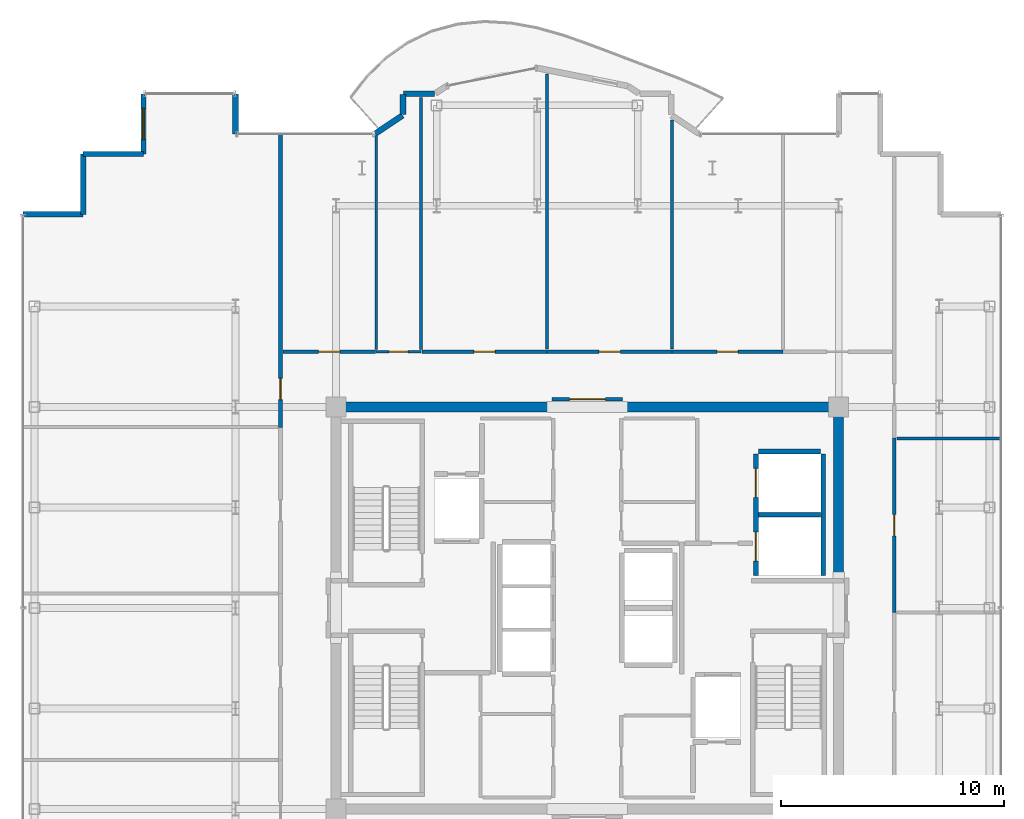
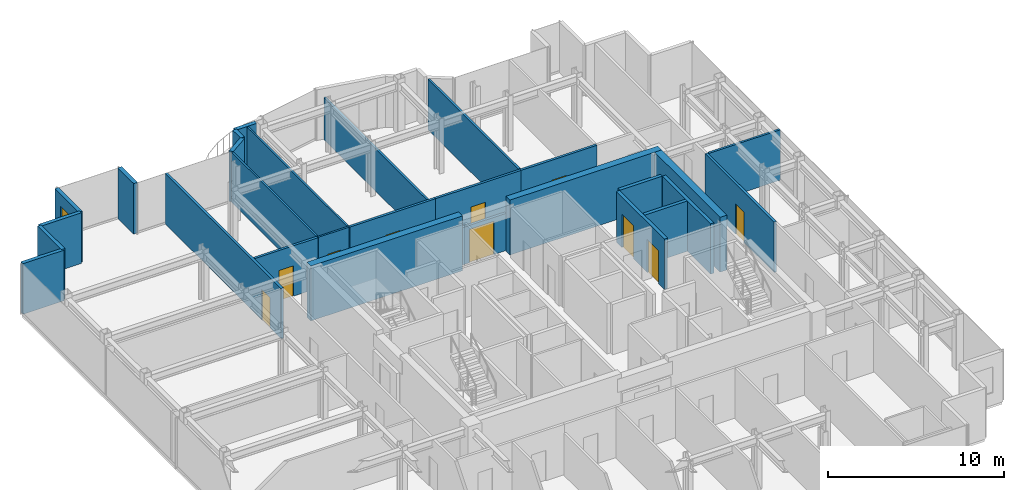
# One storey, part 16 of 18: 28 walls, 10 doors, 1 window, 11 openings.
"""IFC4 building model written with IfcOpenShell, lengths in metres."""

from ifc_helpers import new_model, si_unit, direction, frame, frame_2d, origin, place, context, subcontext, project, spatial, rectangle, extrude, source, transform, mapped, material, layer, layer_set, type_object, element, fill, save


model = new_model("IFC4")

# Units and contexts
model_context = context("Model", 3, precision=1e-05, world=origin(), true_north=direction((0.0, 1.0)))
body_context = subcontext(model_context, "Body", "Model", "MODEL_VIEW")
ifc_project = project(units=[si_unit("LENGTHUNIT", "METRE"), si_unit("AREAUNIT", "SQUARE_METRE"), si_unit("VOLUMEUNIT", "CUBIC_METRE"), si_unit("PLANEANGLEUNIT", "RADIAN"), si_unit("MASSUNIT", "GRAM", prefix="KILO")], contexts=[model_context])

# Site, building, storey
site_placement = place(None, origin())
site = spatial("IfcSite", under=ifc_project, at=site_placement, CompositionType="ELEMENT")
building_placement = place(site_placement, origin())
building = spatial("IfcBuilding", under=site, at=building_placement, Name="Nefas-Gora Pilgrimage Tower", CompositionType="ELEMENT")
storey_placement = place(building_placement, frame((0.0, 0.0, 314.0)))
storey = spatial("IfcBuildingStorey", under=building, at=storey_placement, Name="L79", CompositionType="ELEMENT", Elevation=314.0)

# Walls
ifc_material_1 = material(Name="Concrete C50/60", Category="concrete")
ifc_layer_1 = layer(ifc_material_1, 0.449951171875)
ifc_layer_set_1 = layer_set([ifc_layer_1], Name="Concrete C50/60")
wall_type_1 = type_object("IfcWallType", Name="SW-CORE-450", PredefinedType="SHEAR", material=ifc_layer_set_1)
shared_shape_1 = source(origin(), body_context, "Body", "SweptSolid", [
    extrude(rectangle(XDim=9.925048828125, YDim=0.449951171875, at=frame_2d((4.96240234375, 0.0))), origin(), (0.0, 0.0, 1.0), 3.800048828125),
])
for number, where, z_axis, x_axis, name in (
    (1, (-11.47509765625, 9.0, 0.0), (0.0, 0.0, 1.0), (1.0, 0.0, 0.0), "L79 Core Shear Wall N-West"),
    (2, (1.550048828125, 9.0, 0.0), (0.0, 0.0, 1.0), (1.0, 0.0, 0.0), "L79 Core Shear Wall N-East"),
):
    element("IfcWall", number, at=place(storey_placement, frame(where, z_axis=z_axis, x_axis=x_axis)), inside=storey, type_object=wall_type_1, Name=name, PredefinedType="SHEAR", context=body_context, shape_type="MappedRepresentation", body=[
        mapped(shared_shape_1, transform((0.0, 0.0, 0.0), x_axis=(1.0, 0.0, 0.0), y_axis=(0.0, 1.0, 0.0), z_axis=(0.0, 0.0, 1.0), scale=1.0)),
    ])
shared_shape_2 = source(origin(), body_context, "Body", "SweptSolid", [
    extrude(rectangle(XDim=7.4248046875, YDim=0.449951171875, at=frame_2d((3.71240234375, 0.0))), origin(), (0.0, 0.0, 1.0), 3.800048828125),
])
wall_1_placement = place(storey_placement, frame((11.25, 1.35009765625, 0.0), z_axis=(0.0, 0.0, 1.0), x_axis=(0.0, 1.0, 0.0)))
element("IfcWall", 3, at=wall_1_placement, inside=storey, type_object=wall_type_1, Name="L79 Core Shear Wall E-North", PredefinedType="SHEAR", context=body_context, shape_type="MappedRepresentation", body=[
    mapped(shared_shape_2, transform((0.0, 0.0, 0.0), x_axis=(1.0, 0.0, 0.0), y_axis=(0.0, 1.0, 0.0), z_axis=(0.0, 0.0, 1.0), scale=1.0)),
])
ifc_material_2 = material(Name="Precast concrete C40/50", Category="concrete")
ifc_layer_2 = layer(ifc_material_2, 0.260009765625)
ifc_layer_set_2 = layer_set([ifc_layer_2], Name="Precast concrete C40/50")
wall_type_2 = type_object("IfcWallType", Name="EW-PORTAL-260", PredefinedType="SOLIDWALL", material=ifc_layer_set_2)
shared_shape_3 = source(origin(), body_context, "Body", "SweptSolid", [
    extrude(rectangle(XDim=1.800048828125, YDim=0.260009765625, at=frame_2d((0.89990234375, 0.0))), origin(), (0.0, 0.0, 1.0), 3.5),
])
wall_2_placement = place(storey_placement, frame((-15.75, 21.219970703125, 0.0), z_axis=(0.0, 0.0, 1.0), x_axis=(0.0, 1.0, 0.0)))
element("IfcWall", 4, at=wall_2_placement, inside=storey, type_object=wall_type_2, Name="L79 Lobe Shoulder Precast Spandrel Pier 16", PredefinedType="SOLIDWALL", context=body_context, shape_type="MappedRepresentation", body=[
    mapped(shared_shape_3, transform((0.0, 0.0, 0.0), x_axis=(1.0, 0.0, 0.0), y_axis=(0.0, 1.0, 0.0), z_axis=(0.0, 0.0, 1.0), scale=1.0)),
])

# Wall, opening, window
ifc_material_3 = material(Name="Precast concrete C45/55", Category="concrete")
ifc_layer_3 = layer(ifc_material_3, 0.239990234375)
ifc_layer_set_3 = layer_set([ifc_layer_3], Name="Precast concrete C45/55")
wall_type_3 = type_object("IfcWallType", Name="EW-SERR-240", PredefinedType="SHEAR", material=ifc_layer_set_3)
shared_shape_4 = source(origin(), body_context, "Body", "SweptSolid", [
    extrude(rectangle(XDim=2.699951171875, YDim=0.239990234375, at=frame_2d((1.35009765625, 0.0))), origin(), (0.0, 0.0, 1.0), 3.5),
])
wall_3_placement = place(storey_placement, frame((-19.8701171875, 23.02001953125, 0.0), z_axis=(0.0, 0.0, 1.0), x_axis=(0.0, -1.0, 0.0)))
wall_3 = element("IfcWall", 5, at=wall_3_placement, inside=storey, type_object=wall_type_3, Name="L79 Serrated Corner Shear Pier Wall 17", PredefinedType="SHEAR", context=body_context, shape_type="MappedRepresentation", body=[
    mapped(shared_shape_4, transform((0.0, 0.0, 0.0), x_axis=(1.0, 0.0, 0.0), y_axis=(0.0, 1.0, 0.0), z_axis=(0.0, 0.0, 1.0), scale=1.0)),
])
opening_1_placement = place(wall_3_placement, frame((0.64990234375, 0.0, 0.85009765625)))
opening_1 = element("IfcOpeningElement", 6, at=opening_1_placement, cuts=wall_3, Name="Opening W-V2", PredefinedType="OPENING", context=body_context, shape_type="SweptSolid", body=[
    extrude(rectangle(XDim=1.39990234375, YDim=1.800048828125, at=frame_2d((0.699951171875, 0.89990234375))), frame((0.0, 0.1298828125, 0.0), z_axis=(0.0, -1.0, 0.0), x_axis=(1.0, 0.0, 0.0)), (0.0, 0.0, 1.0), 0.260009765625),
])
ifc_material_4 = material(Name="Dark ceramic-fritted operable aluminium-glass window", Category="aluminium")
window_type = type_object("IfcWindowType", Name="WIN-VENT-1400x1800", PartitioningType="SINGLE_PANEL", PredefinedType="WINDOW", material=ifc_material_4)
shared_shape_5 = source(origin(), body_context, "Body", "SweptSolid", [
    extrude(rectangle(XDim=1.39990234375, YDim=1.800048828125, at=frame_2d((0.699951171875, 0.89990234375))), frame((0.0, 0.030029296875, 0.0), z_axis=(0.0, -1.0, 0.0), x_axis=(1.0, 0.0, 0.0)), (0.0, 0.0, 1.0), 0.06005859375),
])
window_placement = place(opening_1_placement, origin())
window = element("IfcWindow", 7, at=window_placement, inside=storey, type_object=window_type, Name="L79 Operable Parallel-Outswing Window 17", OverallHeight=1.800048828125, OverallWidth=1.39990234375, PartitioningType="SINGLE_PANEL", PredefinedType="WINDOW", context=body_context, shape_type="MappedRepresentation", body=[
    mapped(shared_shape_5, transform((0.0, 0.0, 0.0), x_axis=(1.0, 0.0, 0.0), y_axis=(0.0, 1.0, 0.0), z_axis=(0.0, 0.0, 1.0), scale=1.0)),
])
fill(opening_1, window)

# Walls
for number, where, z_axis, x_axis, name in (
    (8, (-19.8701171875, 20.320068359375, 0.0), (0.0, 0.0, 1.0), (-1.0, 0.0, 0.0), "L79 Serrated Corner Shear Pier Wall 18"),
    (9, (-22.570068359375, 20.320068359375, 0.0), (0.0, 0.0, 1.0), (0.0, -1.0, 0.0), "L79 Serrated Corner Shear Pier Wall 19"),
    (10, (-22.570068359375, 17.6201171875, 0.0), (0.0, 0.0, 1.0), (-1.0, 0.0, 0.0), "L79 Serrated Corner Shear Pier Wall 20"),
):
    element("IfcWall", number, at=place(storey_placement, frame(where, z_axis=z_axis, x_axis=x_axis)), inside=storey, type_object=wall_type_3, Name=name, PredefinedType="SHEAR", context=body_context, shape_type="MappedRepresentation", body=[
        mapped(shared_shape_4, transform((0.0, 0.0, 0.0), x_axis=(1.0, 0.0, 0.0), y_axis=(0.0, 1.0, 0.0), z_axis=(0.0, 0.0, 1.0), scale=1.0)),
    ])
shared_shape_6 = source(origin(), body_context, "Body", "SweptSolid", [
    extrude(rectangle(XDim=1.468994140625, YDim=0.260009765625, at=frame_2d((0.734375, 0.0))), origin(), (0.0, 0.0, 1.0), 3.5),
])
wall_4_placement = place(storey_placement, frame((-8.273193359375, 22.0517578125, 0.0), z_axis=(0.0, 0.0, 1.0), x_axis=(-0.831461760506, -0.555581983884, 0.0)))
element("IfcWall", 11, at=wall_4_placement, inside=storey, type_object=wall_type_2, Name="L79 Lobe Shoulder Precast Spandrel Pier 15", PredefinedType="SOLIDWALL", context=body_context, shape_type="MappedRepresentation", body=[
    mapped(shared_shape_6, transform((0.0, 0.0, 0.0), x_axis=(1.0, 0.0, 0.0), y_axis=(0.0, 1.0, 0.0), z_axis=(0.0, 0.0, 1.0), scale=1.0)),
])
shared_shape_7 = source(origin(), body_context, "Body", "SweptSolid", [
    extrude(rectangle(XDim=0.896728515625, YDim=0.260009765625, at=frame_2d((0.4482421875, 0.0))), origin(), (0.0, 0.0, 1.0), 3.5),
])
wall_5_placement = place(storey_placement, frame((-8.25, 22.991943359375, 0.0), z_axis=(0.0, 0.0, 1.0), x_axis=(0.0, -1.0, 0.0)))
element("IfcWall", 12, at=wall_5_placement, inside=storey, type_object=wall_type_2, Name="L79 Lobe Shoulder Precast Spandrel Pier 14", PredefinedType="SOLIDWALL", context=body_context, shape_type="MappedRepresentation", body=[
    mapped(shared_shape_7, transform((0.0, 0.0, 0.0), x_axis=(1.0, 0.0, 0.0), y_axis=(0.0, 1.0, 0.0), z_axis=(0.0, 0.0, 1.0), scale=1.0)),
])
shared_shape_8 = source(origin(), body_context, "Body", "SweptSolid", [
    extrude(rectangle(XDim=1.369873046875, YDim=0.260009765625, at=frame_2d((0.68505859375, 0.0))), origin(), (0.0, 0.0, 1.0), 3.5),
])
wall_6_placement = place(storey_placement, frame((-6.85205078125, 23.02001953125, 0.0), z_axis=(0.0, 0.0, 1.0), x_axis=(-1.0, 0.0, 0.0)))
element("IfcWall", 13, at=wall_6_placement, inside=storey, type_object=wall_type_2, Name="L79 Lobe Shoulder Precast Spandrel Pier 13", PredefinedType="SOLIDWALL", context=body_context, shape_type="MappedRepresentation", body=[
    mapped(shared_shape_8, transform((0.0, 0.0, 0.0), x_axis=(1.0, 0.0, 0.0), y_axis=(0.0, 1.0, 0.0), z_axis=(0.0, 0.0, 1.0), scale=1.0)),
])

# Wall, openings, doors
ifc_material_5 = material(Name="Concrete C40/50", Category="concrete")
ifc_layer_4 = layer(ifc_material_5, 0.219970703125)
ifc_layer_set_4 = layer_set([ifc_layer_4], Name="Concrete C40/50")
wall_type_4 = type_object("IfcWallType", Name="IW-SHAFT-220", PredefinedType="SOLIDWALL", material=ifc_layer_set_4)
shared_shape_9 = source(origin(), body_context, "Body", "SweptSolid", [
    extrude(rectangle(XDim=5.449951171875, YDim=0.219970703125, at=frame_2d((2.72509765625, 0.0))), origin(), (0.0, 0.0, 1.0), 3.485107421875),
])
wall_7_placement = place(storey_placement, frame((7.5400390625, 6.89990234375, 0.0), z_axis=(0.0, 0.0, 1.0), x_axis=(0.0, -1.0, 0.0)))
wall_7 = element("IfcWall", 14, at=wall_7_placement, inside=storey, type_object=wall_type_4, Name="L79 Hoistway Wall SL-01-02-W", PredefinedType="SOLIDWALL", context=body_context, shape_type="MappedRepresentation", body=[
    mapped(shared_shape_9, transform((0.0, 0.0, 0.0), x_axis=(1.0, 0.0, 0.0), y_axis=(0.0, 1.0, 0.0), z_axis=(0.0, 0.0, 1.0), scale=1.0)),
])
opening_2_placement = place(wall_7_placement, frame((3.5, 0.0, 0.0)))
opening_2 = element("IfcOpeningElement", 15, at=opening_2_placement, cuts=wall_7, Name="Opening LD-SV", PredefinedType="OPENING", context=body_context, shape_type="SweptSolid", body=[
    extrude(rectangle(XDim=1.300048828125, YDim=2.300048828125, at=frame_2d((0.64990234375, 1.14990234375))), frame((0.0, 0.119873046875, 0.0), z_axis=(0.0, -1.0, 0.0), x_axis=(1.0, 0.0, 0.0)), (0.0, 0.0, 1.0), 0.239990234375),
])
opening_3_placement = place(wall_7_placement, frame((0.64990234375, 0.0, 0.0)))
opening_3 = element("IfcOpeningElement", 16, at=opening_3_placement, cuts=wall_7, Name="Opening LD-SV", PredefinedType="OPENING", context=body_context, shape_type="SweptSolid", body=[
    extrude(rectangle(XDim=1.300048828125, YDim=2.300048828125, at=frame_2d((0.64990234375, 1.14990234375))), frame((0.0, 0.119873046875, 0.0), z_axis=(0.0, -1.0, 0.0), x_axis=(1.0, 0.0, 0.0)), (0.0, 0.0, 1.0), 0.239990234375),
])
ifc_material_6 = material(Name="Heavy goods sliding lift landing door")
door_type_1 = type_object("IfcDoorType", Name="DR-LIFT-SERV-1300", OperationType="SLIDING_TO_RIGHT", PredefinedType="DOOR", material=ifc_material_6)
shared_shape_10 = source(origin(), body_context, "Body", "SweptSolid", [
    extrude(rectangle(XDim=1.300048828125, YDim=2.300048828125, at=frame_2d((0.64990234375, 1.14990234375))), frame((0.0, 0.02490234375, 0.0), z_axis=(0.0, -1.0, 0.0), x_axis=(1.0, 0.0, 0.0)), (0.0, 0.0, 1.0), 0.050048828125),
])
door_1_placement = place(opening_2_placement, origin())
door_1 = element("IfcDoor", 17, at=door_1_placement, inside=storey, type_object=door_type_1, Name="L79 Sliding Lift Landing Door SL-01", OperationType="SLIDING_TO_RIGHT", OverallHeight=2.300048828125, OverallWidth=1.300048828125, PredefinedType="DOOR", context=body_context, shape_type="MappedRepresentation", body=[
    mapped(shared_shape_10, transform((0.0, 0.0, 0.0), x_axis=(1.0, 0.0, 0.0), y_axis=(0.0, 1.0, 0.0), z_axis=(0.0, 0.0, 1.0), scale=1.0)),
])
fill(opening_2, door_1)
door_2_placement = place(opening_3_placement, origin())
door_2 = element("IfcDoor", 18, at=door_2_placement, inside=storey, type_object=door_type_1, Name="L79 Sliding Lift Landing Door SL-02", OperationType="SLIDING_TO_RIGHT", OverallHeight=2.300048828125, OverallWidth=1.300048828125, PredefinedType="DOOR", context=body_context, shape_type="MappedRepresentation", body=[
    mapped(shared_shape_10, transform((0.0, 0.0, 0.0), x_axis=(1.0, 0.0, 0.0), y_axis=(0.0, 1.0, 0.0), z_axis=(0.0, 0.0, 1.0), scale=1.0)),
])
fill(opening_3, door_2)

# Walls
wall_8_placement = place(storey_placement, frame((10.56005859375, 1.449951171875, 0.0), z_axis=(0.0, 0.0, 1.0), x_axis=(0.0, 1.0, 0.0)))
element("IfcWall", 19, at=wall_8_placement, inside=storey, type_object=wall_type_4, Name="L79 Hoistway Wall SL-01-02-E", PredefinedType="SOLIDWALL", context=body_context, shape_type="MappedRepresentation", body=[
    mapped(shared_shape_9, transform((0.0, 0.0, 0.0), x_axis=(1.0, 0.0, 0.0), y_axis=(0.0, 1.0, 0.0), z_axis=(0.0, 0.0, 1.0), scale=1.0)),
])
shared_shape_11 = source(origin(), body_context, "Body", "SweptSolid", [
    extrude(rectangle(XDim=2.780029296875, YDim=0.219970703125, at=frame_2d((1.39013671875, 0.0))), origin(), (0.0, 0.0, 1.0), 3.485107421875),
])
for number, where, z_axis, x_axis, name in (
    (20, (7.659912109375, 4.175048828125, 0.0), (0.0, 0.0, 1.0), (1.0, 0.0, 0.0), "L79 Hoistway Wall SL-01-02-DIV"),
    (21, (10.43994140625, 7.010009765625, 0.0), (0.0, 0.0, 1.0), (-1.0, 0.0, 0.0), "L79 Hoistway Wall SL-02-N"),
):
    element("IfcWall", number, at=place(storey_placement, frame(where, z_axis=z_axis, x_axis=x_axis)), inside=storey, type_object=wall_type_4, Name=name, PredefinedType="SOLIDWALL", context=body_context, shape_type="MappedRepresentation", body=[
        mapped(shared_shape_11, transform((0.0, 0.0, 0.0), x_axis=(1.0, 0.0, 0.0), y_axis=(0.0, 1.0, 0.0), z_axis=(0.0, 0.0, 1.0), scale=1.0)),
    ])

# Wall, opening, door
ifc_material_7 = material(Name="Moisture-resistant fire-rated gypsum partition")
ifc_layer_5 = layer(ifc_material_7, 0.1201171875)
ifc_layer_set_5 = layer_set([ifc_layer_5], Name="Moisture-resistant fire-rated gypsum partition")
wall_type_5 = type_object("IfcWallType", Name="IW-WET-120", PredefinedType="PLUMBINGWALL", material=ifc_layer_set_5)
shared_shape_12 = source(origin(), body_context, "Body", "SweptSolid", [
    extrude(rectangle(XDim=2.02001953125, YDim=0.1201171875, at=frame_2d((1.010009765625, 0.0))), origin(), (0.0, 0.0, 1.0), 3.485107421875),
])
wall_9_placement = place(storey_placement, frame((-9.4599609375, 11.469970703125, 0.0), z_axis=(0.0, 0.0, 1.0), x_axis=(1.0, 0.0, 0.0)))
wall_9 = element("IfcWall", 22, at=wall_9_placement, inside=storey, type_object=wall_type_5, Name="L79 Accessible Unisex WC Partition Wall 40", PredefinedType="PLUMBINGWALL", context=body_context, shape_type="MappedRepresentation", body=[
    mapped(shared_shape_12, transform((0.0, 0.0, 0.0), x_axis=(1.0, 0.0, 0.0), y_axis=(0.0, 1.0, 0.0), z_axis=(0.0, 0.0, 1.0), scale=1.0)),
])
opening_4_placement = place(wall_9_placement, frame((0.5849609375, 0.0, 0.0)))
opening_4 = element("IfcOpeningElement", 23, at=opening_4_placement, cuts=wall_9, Name="Opening ID-BT1", PredefinedType="OPENING", context=body_context, shape_type="SweptSolid", body=[
    extrude(rectangle(XDim=0.85009765625, YDim=2.10009765625, at=frame_2d((0.425048828125, 1.050048828125))), frame((0.0, 0.070068359375, 0.0), z_axis=(0.0, -1.0, 0.0), x_axis=(1.0, 0.0, 0.0)), (0.0, 0.0, 1.0), 0.14013671875),
])
ifc_material_8 = material(Name="Moisture-resistant fire-rated timber door", Category="wood")
door_type_2 = type_object("IfcDoorType", Name="DR-INT-BATH-850", OperationType="NOTDEFINED", PredefinedType="DOOR", material=ifc_material_8)
shared_shape_13 = source(origin(), body_context, "Body", "SweptSolid", [
    extrude(rectangle(XDim=0.85009765625, YDim=2.10009765625, at=frame_2d((0.425048828125, 1.050048828125))), frame((0.0, 0.02490234375, 0.0), z_axis=(0.0, -1.0, 0.0), x_axis=(1.0, 0.0, 0.0)), (0.0, 0.0, 1.0), 0.050048828125),
])
door_3_placement = place(opening_4_placement, origin())
door_3 = element("IfcDoor", 24, at=door_3_placement, inside=storey, type_object=door_type_2, Name="L79 Accessible Unisex WC Door 16", OperationType="SINGLE_SWING_LEFT", OverallHeight=2.10009765625, OverallWidth=0.85009765625, PredefinedType="DOOR", context=body_context, shape_type="MappedRepresentation", body=[
    mapped(shared_shape_13, transform((0.0, 0.0, 0.0), x_axis=(1.0, 0.0, 0.0), y_axis=(0.0, 1.0, 0.0), z_axis=(0.0, 0.0, 1.0), scale=1.0)),
])
fill(opening_4, door_3)

# Walls
shared_shape_14 = source(origin(), body_context, "Body", "SweptSolid", [
    extrude(rectangle(XDim=11.280029296875, YDim=0.1201171875, at=frame_2d((5.64013671875, 0.0))), origin(), (0.0, 0.0, 1.0), 3.485107421875),
])
wall_10_placement = place(storey_placement, frame((-7.449951171875, 11.570068359375, 0.0), z_axis=(0.0, 0.0, 1.0), x_axis=(0.0, 1.0, 0.0)))
element("IfcWall", 25, at=wall_10_placement, inside=storey, type_object=wall_type_5, Name="L79 Accessible Unisex WC Partition Wall 41", PredefinedType="PLUMBINGWALL", context=body_context, shape_type="MappedRepresentation", body=[
    mapped(shared_shape_14, transform((0.0, 0.0, 0.0), x_axis=(1.0, 0.0, 0.0), y_axis=(0.0, 1.0, 0.0), z_axis=(0.0, 0.0, 1.0), scale=1.0)),
])
shared_shape_15 = source(origin(), body_context, "Body", "SweptSolid", [
    extrude(rectangle(XDim=9.586669921875, YDim=0.1201171875, at=frame_2d((4.79345703125, 0.0))), origin(), (0.0, 0.0, 1.0), 3.485107421875),
])
wall_11_placement = place(storey_placement, frame((-9.449951171875, 11.570068359375, 0.0), z_axis=(0.0, 0.0, 1.0), x_axis=(0.0, 1.0, 0.0)))
element("IfcWall", 26, at=wall_11_placement, inside=storey, type_object=wall_type_5, Name="L79 Accessible Unisex WC Partition Wall 42", PredefinedType="PLUMBINGWALL", context=body_context, shape_type="MappedRepresentation", body=[
    mapped(shared_shape_15, transform((0.0, 0.0, 0.0), x_axis=(1.0, 0.0, 0.0), y_axis=(0.0, 1.0, 0.0), z_axis=(0.0, 0.0, 1.0), scale=1.0)),
])

# Wall, opening, door
ifc_material_9 = material(Name="Gypsum acoustic stud partition")
ifc_layer_6 = layer(ifc_material_9, 0.159912109375)
ifc_layer_set_6 = layer_set([ifc_layer_6], Name="Gypsum acoustic stud partition")
wall_type_6 = type_object("IfcWallType", Name="IW-CORR-160", PredefinedType="PARTITIONING", material=ifc_layer_set_6)
shared_shape_16 = source(origin(), body_context, "Body", "SweptSolid", [
    extrude(rectangle(XDim=13.152587890625, YDim=0.159912109375, at=frame_2d((6.576171875, 0.0))), origin(), (0.0, 0.0, 1.0), 3.485107421875),
])
wall_12_placement = place(storey_placement, frame((-13.739990234375, 8.08740234375, 0.0), z_axis=(0.0, 0.0, 1.0), x_axis=(0.0, 1.0, 0.0)))
wall_12 = element("IfcWall", 27, at=wall_12_placement, inside=storey, type_object=wall_type_6, Name="L79 Pilgrim Devotional Prayer Gallery Partition Wall 45", PredefinedType="PARTITIONING", context=body_context, shape_type="MappedRepresentation", body=[
    mapped(shared_shape_16, transform((0.0, 0.0, 0.0), x_axis=(1.0, 0.0, 0.0), y_axis=(0.0, 1.0, 0.0), z_axis=(0.0, 0.0, 1.0), scale=1.0)),
])
opening_5_placement = place(wall_12_placement, frame((1.236083984375, 0.0, 0.0)))
opening_5 = element("IfcOpeningElement", 28, at=opening_5_placement, cuts=wall_12, Name="Opening ID-GR1", PredefinedType="OPENING", context=body_context, shape_type="SweptSolid", body=[
    extrude(rectangle(XDim=0.949951171875, YDim=2.10009765625, at=frame_2d((0.47509765625, 1.050048828125))), frame((0.0, 0.08984375, 0.0), z_axis=(0.0, -1.0, 0.0), x_axis=(1.0, 0.0, 0.0)), (0.0, 0.0, 1.0), 0.179931640625),
])
ifc_material_10 = material(Name="Solid core oak fire-rated guest entrance door")
door_type_3 = type_object("IfcDoorType", Name="DR-INT-GUEST-950", OperationType="NOTDEFINED", PredefinedType="DOOR", material=ifc_material_10)
shared_shape_17 = source(origin(), body_context, "Body", "SweptSolid", [
    extrude(rectangle(XDim=0.949951171875, YDim=2.10009765625, at=frame_2d((0.47509765625, 1.050048828125))), frame((0.0, 0.02490234375, 0.0), z_axis=(0.0, -1.0, 0.0), x_axis=(1.0, 0.0, 0.0)), (0.0, 0.0, 1.0), 0.050048828125),
])
door_4_placement = place(opening_5_placement, origin())
door_4 = element("IfcDoor", 29, at=door_4_placement, inside=storey, type_object=door_type_3, Name="L79 Pilgrim Devotional Prayer Gallery Door 18", OperationType="SINGLE_SWING_LEFT", OverallHeight=2.10009765625, OverallWidth=0.949951171875, PredefinedType="DOOR", context=body_context, shape_type="MappedRepresentation", body=[
    mapped(shared_shape_17, transform((0.0, 0.0, 0.0), x_axis=(1.0, 0.0, 0.0), y_axis=(0.0, 1.0, 0.0), z_axis=(0.0, 0.0, 1.0), scale=1.0)),
])
fill(opening_5, door_4)

shared_shape_18 = source(origin(), body_context, "Body", "SweptSolid", [
    extrude(rectangle(XDim=4.125, YDim=0.159912109375, at=frame_2d((2.0625, 0.0))), origin(), (0.0, 0.0, 1.0), 3.485107421875),
])
wall_13_placement = place(storey_placement, frame((-13.6201171875, 11.469970703125, 0.0), z_axis=(0.0, 0.0, 1.0), x_axis=(1.0, 0.0, 0.0)))
wall_13 = element("IfcWall", 30, at=wall_13_placement, inside=storey, type_object=wall_type_6, Name="L79 Pilgrim Contemplative Lounge Partition Wall 57", PredefinedType="PARTITIONING", context=body_context, shape_type="MappedRepresentation", body=[
    mapped(shared_shape_18, transform((0.0, 0.0, 0.0), x_axis=(1.0, 0.0, 0.0), y_axis=(0.0, 1.0, 0.0), z_axis=(0.0, 0.0, 1.0), scale=1.0)),
])
opening_6_placement = place(wall_13_placement, frame((1.58740234375, 0.0, 0.0)))
opening_6 = element("IfcOpeningElement", 31, at=opening_6_placement, cuts=wall_13, Name="Opening ID-GR1", PredefinedType="OPENING", context=body_context, shape_type="SweptSolid", body=[
    extrude(rectangle(XDim=0.949951171875, YDim=2.10009765625, at=frame_2d((0.47509765625, 1.050048828125))), frame((0.0, 0.08984375, 0.0), z_axis=(0.0, -1.0, 0.0), x_axis=(1.0, 0.0, 0.0)), (0.0, 0.0, 1.0), 0.179931640625),
])
door_5_placement = place(opening_6_placement, origin())
door_5 = element("IfcDoor", 32, at=door_5_placement, inside=storey, type_object=door_type_3, Name="L79 Pilgrim Contemplative Lounge Door 25", OperationType="SINGLE_SWING_RIGHT", OverallHeight=2.10009765625, OverallWidth=0.949951171875, PredefinedType="DOOR", context=body_context, shape_type="MappedRepresentation", body=[
    mapped(shared_shape_17, transform((0.0, 0.0, 0.0), x_axis=(1.0, 0.0, 0.0), y_axis=(0.0, 1.0, 0.0), z_axis=(0.0, 0.0, 1.0), scale=1.0)),
])
fill(opening_6, door_5)

shared_shape_19 = source(origin(), body_context, "Body", "SweptSolid", [
    extrude(rectangle(XDim=5.60498046875, YDim=0.159912109375, at=frame_2d((2.802490234375, 0.0))), origin(), (0.0, 0.0, 1.0), 3.485107421875),
])
wall_14_placement = place(storey_placement, frame((-7.405029296875, 11.469970703125, 0.0), z_axis=(0.0, 0.0, 1.0), x_axis=(1.0, 0.0, 0.0)))
wall_14 = element("IfcWall", 33, at=wall_14_placement, inside=storey, type_object=wall_type_6, Name="L79 Pilgrim Contemplative Lounge Partition Wall 58", PredefinedType="PARTITIONING", context=body_context, shape_type="MappedRepresentation", body=[
    mapped(shared_shape_19, transform((0.0, 0.0, 0.0), x_axis=(1.0, 0.0, 0.0), y_axis=(0.0, 1.0, 0.0), z_axis=(0.0, 0.0, 1.0), scale=1.0)),
])
opening_7_placement = place(wall_14_placement, frame((2.327392578125, 0.0, 0.0)))
opening_7 = element("IfcOpeningElement", 34, at=opening_7_placement, cuts=wall_14, Name="Opening ID-GR1", PredefinedType="OPENING", context=body_context, shape_type="SweptSolid", body=[
    extrude(rectangle(XDim=0.949951171875, YDim=2.10009765625, at=frame_2d((0.47509765625, 1.050048828125))), frame((0.0, 0.08984375, 0.0), z_axis=(0.0, -1.0, 0.0), x_axis=(1.0, 0.0, 0.0)), (0.0, 0.0, 1.0), 0.179931640625),
])
door_6_placement = place(opening_7_placement, origin())
door_6 = element("IfcDoor", 35, at=door_6_placement, inside=storey, type_object=door_type_3, Name="L79 Pilgrim Contemplative Lounge Door 26", OperationType="SINGLE_SWING_LEFT", OverallHeight=2.10009765625, OverallWidth=0.949951171875, PredefinedType="DOOR", context=body_context, shape_type="MappedRepresentation", body=[
    mapped(shared_shape_17, transform((0.0, 0.0, 0.0), x_axis=(1.0, 0.0, 0.0), y_axis=(0.0, 1.0, 0.0), z_axis=(0.0, 0.0, 1.0), scale=1.0)),
])
fill(opening_7, door_6)

wall_15_placement = place(storey_placement, frame((-1.800048828125, 11.469970703125, 0.0), z_axis=(0.0, 0.0, 1.0), x_axis=(1.0, 0.0, 0.0)))
wall_15 = element("IfcWall", 36, at=wall_15_placement, inside=storey, type_object=wall_type_6, Name="L79 Pilgrim Contemplative Lounge Partition Wall 60", PredefinedType="PARTITIONING", context=body_context, shape_type="MappedRepresentation", body=[
    mapped(shared_shape_19, transform((0.0, 0.0, 0.0), x_axis=(1.0, 0.0, 0.0), y_axis=(0.0, 1.0, 0.0), z_axis=(0.0, 0.0, 1.0), scale=1.0)),
])
opening_8_placement = place(wall_15_placement, frame((2.327392578125, 0.0, 0.0)))
opening_8 = element("IfcOpeningElement", 37, at=opening_8_placement, cuts=wall_15, Name="Opening ID-GR1", PredefinedType="OPENING", context=body_context, shape_type="SweptSolid", body=[
    extrude(rectangle(XDim=0.949951171875, YDim=2.10009765625, at=frame_2d((0.47509765625, 1.050048828125))), frame((0.0, 0.08984375, 0.0), z_axis=(0.0, -1.0, 0.0), x_axis=(1.0, 0.0, 0.0)), (0.0, 0.0, 1.0), 0.179931640625),
])
door_7_placement = place(opening_8_placement, origin())
door_7 = element("IfcDoor", 38, at=door_7_placement, inside=storey, type_object=door_type_3, Name="L79 Pilgrim Contemplative Lounge Door 27", OperationType="SINGLE_SWING_RIGHT", OverallHeight=2.10009765625, OverallWidth=0.949951171875, PredefinedType="DOOR", context=body_context, shape_type="MappedRepresentation", body=[
    mapped(shared_shape_17, transform((0.0, 0.0, 0.0), x_axis=(1.0, 0.0, 0.0), y_axis=(0.0, 1.0, 0.0), z_axis=(0.0, 0.0, 1.0), scale=1.0)),
])
fill(opening_8, door_7)

# Wall
ifc_material_11 = material(Name="Gypsum twin-stud partition")
ifc_layer_7 = layer(ifc_material_11, 0.139892578125)
ifc_layer_set_7 = layer_set([ifc_layer_7], Name="Gypsum twin-stud partition")
wall_type_7 = type_object("IfcWallType", Name="IW-UNIT-140", PredefinedType="PARTITIONING", material=ifc_layer_set_7)
shared_shape_20 = source(origin(), body_context, "Body", "SweptSolid", [
    extrude(rectangle(XDim=10.2451171875, YDim=0.139892578125, at=frame_2d((5.12255859375, 0.0))), origin(), (0.0, 0.0, 1.0), 3.485107421875),
])
wall_16_placement = place(storey_placement, frame((3.794921875, 11.590087890625, 0.0), z_axis=(0.0, 0.0, 1.0), x_axis=(0.0, 1.0, 0.0)))
element("IfcWall", 39, at=wall_16_placement, inside=storey, type_object=wall_type_7, Name="L79 Pilgrim Contemplative Lounge Partition Wall 61", PredefinedType="PARTITIONING", context=body_context, shape_type="MappedRepresentation", body=[
    mapped(shared_shape_20, transform((0.0, 0.0, 0.0), x_axis=(1.0, 0.0, 0.0), y_axis=(0.0, 1.0, 0.0), z_axis=(0.0, 0.0, 1.0), scale=1.0)),
])

# Wall, opening, door
shared_shape_21 = source(origin(), body_context, "Body", "SweptSolid", [
    extrude(rectangle(XDim=4.965087890625, YDim=0.159912109375, at=frame_2d((2.482421875, 0.0))), origin(), (0.0, 0.0, 1.0), 3.485107421875),
])
wall_17_placement = place(storey_placement, frame((3.794921875, 11.469970703125, 0.0), z_axis=(0.0, 0.0, 1.0), x_axis=(1.0, 0.0, 0.0)))
wall_17 = element("IfcWall", 40, at=wall_17_placement, inside=storey, type_object=wall_type_6, Name="L79 Pilgrim Contemplative Lounge Partition Wall 62", PredefinedType="PARTITIONING", context=body_context, shape_type="MappedRepresentation", body=[
    mapped(shared_shape_21, transform((0.0, 0.0, 0.0), x_axis=(1.0, 0.0, 0.0), y_axis=(0.0, 1.0, 0.0), z_axis=(0.0, 0.0, 1.0), scale=1.0)),
])
opening_9_placement = place(wall_17_placement, frame((2.007568359375, 0.0, 0.0)))
opening_9 = element("IfcOpeningElement", 41, at=opening_9_placement, cuts=wall_17, Name="Opening ID-GR1", PredefinedType="OPENING", context=body_context, shape_type="SweptSolid", body=[
    extrude(rectangle(XDim=0.949951171875, YDim=2.10009765625, at=frame_2d((0.47509765625, 1.050048828125))), frame((0.0, 0.08984375, 0.0), z_axis=(0.0, -1.0, 0.0), x_axis=(1.0, 0.0, 0.0)), (0.0, 0.0, 1.0), 0.179931640625),
])
door_8_placement = place(opening_9_placement, origin())
door_8 = element("IfcDoor", 42, at=door_8_placement, inside=storey, type_object=door_type_3, Name="L79 Pilgrim Contemplative Lounge Door 28", OperationType="SINGLE_SWING_LEFT", OverallHeight=2.10009765625, OverallWidth=0.949951171875, PredefinedType="DOOR", context=body_context, shape_type="MappedRepresentation", body=[
    mapped(shared_shape_17, transform((0.0, 0.0, 0.0), x_axis=(1.0, 0.0, 0.0), y_axis=(0.0, 1.0, 0.0), z_axis=(0.0, 0.0, 1.0), scale=1.0)),
])
fill(opening_9, door_8)

shared_shape_22 = source(origin(), body_context, "Body", "SweptSolid", [
    extrude(rectangle(XDim=7.81005859375, YDim=0.159912109375, at=frame_2d((3.905029296875, 0.0))), origin(), (0.0, 0.0, 1.0), 3.485107421875),
])
wall_18_placement = place(storey_placement, frame((13.739990234375, -0.205078125, 0.0), z_axis=(0.0, 0.0, 1.0), x_axis=(0.0, 1.0, 0.0)))
wall_18 = element("IfcWall", 43, at=wall_18_placement, inside=storey, type_object=wall_type_6, Name="L79 Pilgrim Contemplative Lounge Partition Wall 54", PredefinedType="PARTITIONING", context=body_context, shape_type="MappedRepresentation", body=[
    mapped(shared_shape_22, transform((0.0, 0.0, 0.0), x_axis=(1.0, 0.0, 0.0), y_axis=(0.0, 1.0, 0.0), z_axis=(0.0, 0.0, 1.0), scale=1.0)),
])
opening_10_placement = place(wall_18_placement, frame((3.429931640625, 0.0, 0.0)))
opening_10 = element("IfcOpeningElement", 44, at=opening_10_placement, cuts=wall_18, Name="Opening ID-GR1", PredefinedType="OPENING", context=body_context, shape_type="SweptSolid", body=[
    extrude(rectangle(XDim=0.949951171875, YDim=2.10009765625, at=frame_2d((0.47509765625, 1.050048828125))), frame((0.0, 0.08984375, 0.0), z_axis=(0.0, -1.0, 0.0), x_axis=(1.0, 0.0, 0.0)), (0.0, 0.0, 1.0), 0.179931640625),
])
door_9_placement = place(opening_10_placement, origin())
door_9 = element("IfcDoor", 45, at=door_9_placement, inside=storey, type_object=door_type_3, Name="L79 Pilgrim Contemplative Lounge Door 23", OperationType="SINGLE_SWING_RIGHT", OverallHeight=2.10009765625, OverallWidth=0.949951171875, PredefinedType="DOOR", context=body_context, shape_type="MappedRepresentation", body=[
    mapped(shared_shape_17, transform((0.0, 0.0, 0.0), x_axis=(1.0, 0.0, 0.0), y_axis=(0.0, 1.0, 0.0), z_axis=(0.0, 0.0, 1.0), scale=1.0)),
])
fill(opening_10, door_9)

shared_shape_23 = source(origin(), body_context, "Body", "SweptSolid", [
    extrude(rectangle(XDim=3.16015625, YDim=0.159912109375, at=frame_2d((1.580078125, 0.0))), origin(), (0.0, 0.0, 1.0), 2.574951171875),
])
wall_19_placement = place(storey_placement, frame((-1.580078125, 9.35009765625, 0.0), z_axis=(0.0, 0.0, 1.0), x_axis=(1.0, 0.0, 0.0)))
wall_19 = element("IfcWall", 46, at=wall_19_placement, inside=storey, type_object=wall_type_6, Name="L79 Central Lift Lobby North Portal Wall 16", PredefinedType="PARTITIONING", context=body_context, shape_type="MappedRepresentation", body=[
    mapped(shared_shape_23, transform((0.0, 0.0, 0.0), x_axis=(1.0, 0.0, 0.0), y_axis=(0.0, 1.0, 0.0), z_axis=(0.0, 0.0, 1.0), scale=1.0)),
])
opening_11_placement = place(wall_19_placement, frame((0.780029296875, 0.0, 0.0)))
opening_11 = element("IfcOpeningElement", 47, at=opening_11_placement, cuts=wall_19, Name="Opening ID-HL1", PredefinedType="OPENING", context=body_context, shape_type="SweptSolid", body=[
    extrude(rectangle(XDim=1.60009765625, YDim=2.300048828125, at=frame_2d((0.800048828125, 1.14990234375))), frame((0.0, 0.08984375, 0.0), z_axis=(0.0, -1.0, 0.0), x_axis=(1.0, 0.0, 0.0)), (0.0, 0.0, 1.0), 0.179931640625),
])
ifc_material_12 = material(Name="Double acoustic timber assembly hall door", Category="wood")
door_type_4 = type_object("IfcDoorType", Name="DR-INT-HALL-1600", OperationType="DOUBLE_DOOR_SINGLE_SWING", PredefinedType="DOOR", material=ifc_material_12)
shared_shape_24 = source(origin(), body_context, "Body", "SweptSolid", [
    extrude(rectangle(XDim=1.60009765625, YDim=2.300048828125, at=frame_2d((0.800048828125, 1.14990234375))), frame((0.0, 0.02490234375, 0.0), z_axis=(0.0, -1.0, 0.0), x_axis=(1.0, 0.0, 0.0)), (0.0, 0.0, 1.0), 0.050048828125),
])
door_10_placement = place(opening_11_placement, origin())
door_10 = element("IfcDoor", 48, at=door_10_placement, inside=storey, type_object=door_type_4, Name="L79 Central Lift Lobby North Portal Door 6", OperationType="DOUBLE_DOOR_SINGLE_SWING", OverallHeight=2.300048828125, OverallWidth=1.60009765625, PredefinedType="DOOR", context=body_context, shape_type="MappedRepresentation", body=[
    mapped(shared_shape_24, transform((0.0, 0.0, 0.0), x_axis=(1.0, 0.0, 0.0), y_axis=(0.0, 1.0, 0.0), z_axis=(0.0, 0.0, 1.0), scale=1.0)),
])
fill(opening_11, door_10)

# Walls
shared_shape_25 = source(origin(), body_context, "Body", "SweptSolid", [
    extrude(rectangle(XDim=4.679931640625, YDim=0.139892578125, at=frame_2d((2.33984375, 0.0))), origin(), (0.0, 0.0, 1.0), 3.485107421875),
])
wall_20_placement = place(storey_placement, frame((13.860107421875, 7.594970703125, 0.0), z_axis=(0.0, 0.0, 1.0), x_axis=(1.0, 0.0, 0.0)))
element("IfcWall", 49, at=wall_20_placement, inside=storey, type_object=wall_type_7, Name="L79 Pilgrim Contemplative Lounge Partition Wall 55", PredefinedType="PARTITIONING", context=body_context, shape_type="MappedRepresentation", body=[
    mapped(shared_shape_25, transform((0.0, 0.0, 0.0), x_axis=(1.0, 0.0, 0.0), y_axis=(0.0, 1.0, 0.0), z_axis=(0.0, 0.0, 1.0), scale=1.0)),
])
shared_shape_26 = source(origin(), body_context, "Body", "SweptSolid", [
    extrude(rectangle(XDim=12.32177734375, YDim=0.139892578125, at=frame_2d((6.160888671875, 0.0))), origin(), (0.0, 0.0, 1.0), 2.925048828125),
])
wall_21_placement = place(storey_placement, frame((-1.81005859375, 11.590087890625, 0.0), z_axis=(0.0, 0.0, 1.0), x_axis=(0.0, 1.0, 0.0)))
element("IfcWall", 50, at=wall_21_placement, inside=storey, type_object=wall_type_7, Name="L79 Pilgrim Contemplative Lounge Partition Wall 59", PredefinedType="PARTITIONING", context=body_context, shape_type="MappedRepresentation", body=[
    mapped(shared_shape_26, transform((0.0, 0.0, 0.0), x_axis=(1.0, 0.0, 0.0), y_axis=(0.0, 1.0, 0.0), z_axis=(0.0, 0.0, 1.0), scale=1.0)),
])

save(model, "model.ifc")
